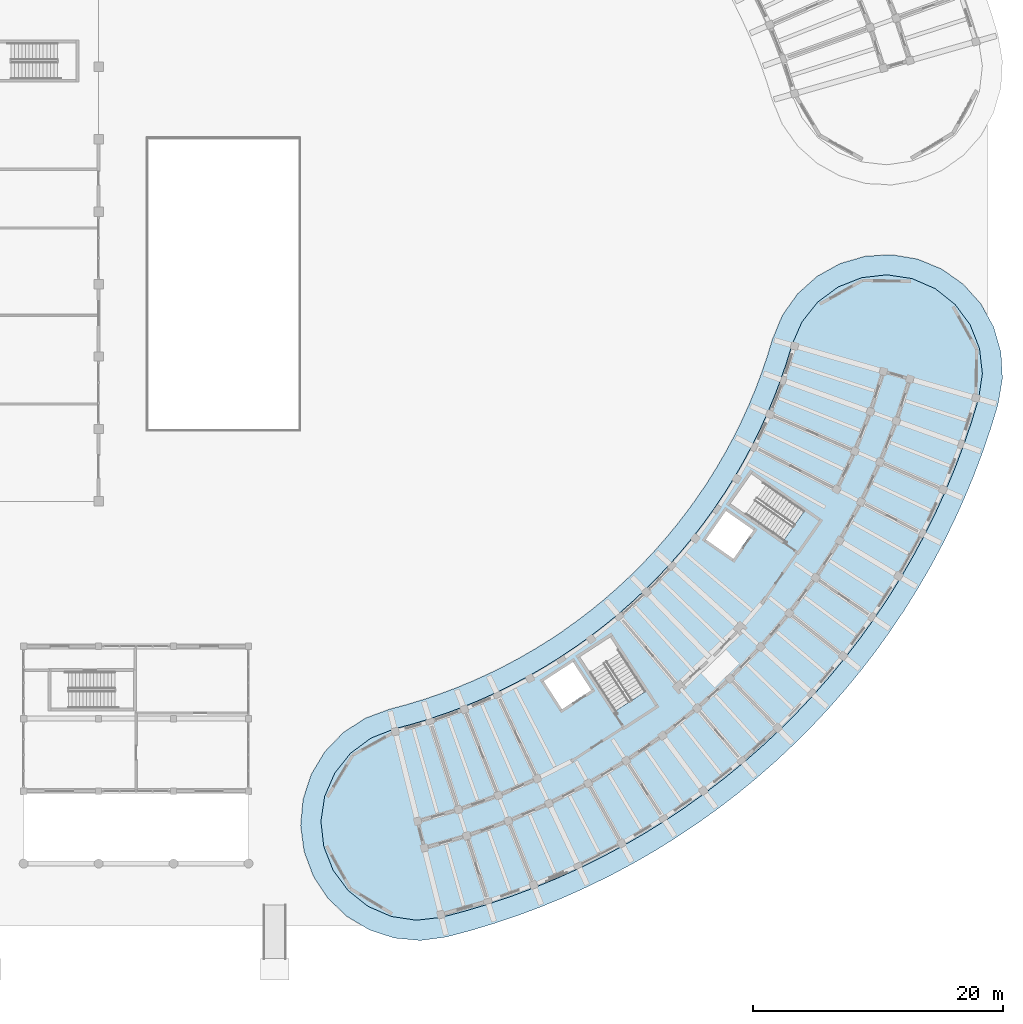
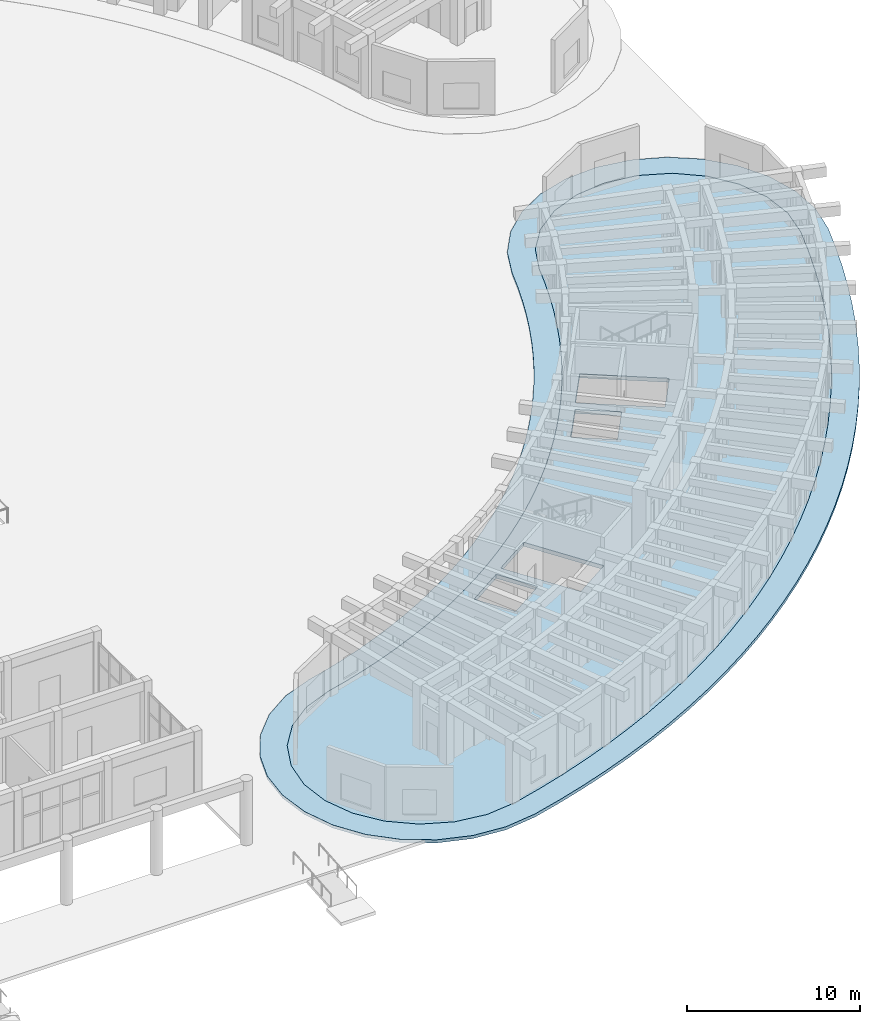
# One storey, part 81 of 132: 2 slabs.
"""IFC4 building model written with IfcOpenShell, lengths in metres."""

from ifc_helpers import new_model, si_unit, direction, frame, origin, place, context, subcontext, project, spatial, polyline, outline, extrude, material, layer, layer_set, type_object, element, save


model = new_model("IFC4")

# Units and contexts
model_context = context("Model", 3, precision=1e-05, world=origin(), true_north=direction((0.0, 1.0)))
body_context = subcontext(model_context, "Body", "Model", "MODEL_VIEW")
ifc_project = project(units=[si_unit("LENGTHUNIT", "METRE"), si_unit("AREAUNIT", "SQUARE_METRE"), si_unit("VOLUMEUNIT", "CUBIC_METRE"), si_unit("PLANEANGLEUNIT", "RADIAN"), si_unit("MASSUNIT", "GRAM", prefix="KILO")], contexts=[model_context])

# Site, building, storey
site_placement = place(None, origin())
site = spatial("IfcSite", under=ifc_project, at=site_placement, CompositionType="ELEMENT")
building_placement = place(site_placement, origin())
building = spatial("IfcBuilding", under=site, at=building_placement, Name="Tanwirah Colonnade Gardens", CompositionType="ELEMENT")
storey_placement = place(building_placement, origin())
storey = spatial("IfcBuildingStorey", under=building, at=storey_placement, Name="L00", CompositionType="ELEMENT", Elevation=0.0)

# Slabs
ifc_material_1 = material(Name="Concrete C45/55", Category="concrete")
ifc_layer_1 = layer(ifc_material_1, 0.280029296875)
ifc_layer_set_1 = layer_set([ifc_layer_1], Name="Concrete C45/55")
slab_type_1 = type_object("IfcSlabType", Name="SL-POD-280", PredefinedType="FLOOR", material=ifc_layer_set_1)
slab_1_placement = place(storey_placement, frame((0.0, 0.0, -0.280029296875)))
element("IfcSlab", 1, at=slab_1_placement, inside=storey, type_object=slab_type_1, Name="Block D L00 Precast Composite Floor Slab", PredefinedType="FLOOR", context=body_context, shape_type="SweptSolid", body=[
    extrude(outline(polyline([(134.47509765625, 22.404052734375), (133.09033203125, 21.98583984375), (131.69287109375, 21.613037109375), (129.79833984375, 20.86669921875), (128.16162109375, 19.655517578125), (126.89404296875, 18.06201171875), (126.08203125, 16.194580078125), (125.781005859375, 14.1806640625), (126.01171875, 12.15771484375), (126.7578125, 10.26318359375), (127.968994140625, 8.626220703125), (129.562744140625, 7.358642578125), (131.429931640625, 6.546875), (133.44384765625, 6.245849609375), (135.467041015625, 6.476318359375), (137.357666015625, 6.980712890625), (139.23095703125, 7.546630859375), (141.08447265625, 8.173828125), (142.916748046875, 8.861083984375), (144.7255859375, 9.60791015625), (146.5087890625, 10.41357421875), (148.264892578125, 11.277099609375), (149.99169921875, 12.19775390625), (151.687255859375, 13.17431640625), (153.350341796875, 14.205810546875), (154.978515625, 15.291259765625), (156.5703125, 16.429443359375), (158.124267578125, 17.618896484375), (159.63818359375, 18.858642578125), (161.11083984375, 20.1474609375), (162.54052734375, 21.4833984375), (163.92578125, 22.86572265625), (165.26513671875, 24.29248046875), (166.556884765625, 25.76220703125), (167.800048828125, 27.273681640625), (168.992919921875, 28.82470703125), (170.134521484375, 30.414306640625), (171.223388671875, 32.0400390625), (172.258544921875, 33.70068359375), (173.23876953125, 35.394287109375), (174.163330078125, 37.119140625), (175.030517578125, 38.873291015625), (175.840087890625, 40.65478515625), (176.591064453125, 42.4619140625), (177.2822265625, 44.29248046875), (177.913330078125, 46.14501953125), (178.4833984375, 48.016845703125), (178.784423828125, 50.03076171875), (178.553955078125, 52.053955078125), (177.8076171875, 53.948486328125), (176.596435546875, 55.585205078125), (175.0029296875, 56.852783203125), (173.135498046875, 57.664794921875), (171.121826171875, 57.965576171875), (169.0986328125, 57.735107421875), (167.2041015625, 56.98876953125), (165.5673828125, 55.777587890625), (164.2998046875, 54.18408203125), (163.48779296875, 52.31689453125), (163.06640625, 50.93310546875), (162.60009765625, 49.56396484375), (162.089111328125, 48.2109375), (161.533935546875, 46.875244140625), (160.935791015625, 45.55859375), (160.294677734375, 44.261962890625), (159.611328125, 42.987060546875), (158.88671875, 41.7353515625), (158.12158203125, 40.5078125), (157.31689453125, 39.30615234375), (156.47314453125, 38.13134765625), (155.59130859375, 36.98486328125), (154.672607421875, 35.86767578125), (153.717529296875, 34.781494140625), (152.727783203125, 33.726806640625), (151.703857421875, 32.705078125), (150.647216796875, 31.717529296875), (149.55859375, 30.76513671875), (148.439697265625, 29.848876953125), (147.291259765625, 28.969482421875), (146.114501953125, 28.12841796875), (144.9111328125, 27.326171875), (143.681884765625, 26.563720703125), (142.428466796875, 25.841796875), (141.15234375, 25.161376953125), (139.854248046875, 24.523193359375), (138.5361328125, 23.927490234375), (137.199462890625, 23.37548828125), (135.84521484375, 22.867431640625), (134.47509765625, 22.404052734375)]), holes=[polyline([(149.358642578125, 23.003662109375), (146.528076171875, 27.3623046875), (148.971923828125, 28.94921875), (151.802490234375, 24.5908203125), (149.358642578125, 23.003662109375)]), polyline([(143.63427734375, 25.42333984375), (145.982666015625, 26.9482421875), (147.453125, 24.683837890625), (145.104736328125, 23.158935546875), (143.63427734375, 25.42333984375)]), polyline([(160.252685546875, 42.016357421875), (164.509765625, 39.03564453125), (162.83837890625, 36.648681640625), (158.581298828125, 39.62939453125), (160.252685546875, 42.016357421875)]), polyline([(160.442138671875, 37.49267578125), (158.836181640625, 35.198974609375), (156.62451171875, 36.74755859375), (158.23046875, 39.041259765625), (160.442138671875, 37.49267578125)])]), origin(), (0.0, 0.0, 1.0), 0.280029296875),
])
ifc_material_2 = material(Name="White architectural precast concrete C40/50", Category="concrete")
ifc_layer_2 = layer(ifc_material_2, 0.215087890625)
ifc_layer_set_2 = layer_set([ifc_layer_2], Name="White architectural precast concrete C40/50")
slab_type_2 = type_object("IfcSlabType", Name="SL-VER-215", PredefinedType="FLOOR", material=ifc_layer_set_2)
slab_2_placement = place(storey_placement, frame((0.0, 0.0, -0.215087890625)))
element("IfcSlab", 2, at=slab_2_placement, inside=storey, type_object=slab_type_2, Name="Block D L00 Continuous White Balcony Ribbon", PredefinedType="FLOOR", context=body_context, shape_type="SweptSolid", body=[
    extrude(outline(polyline([(129.333251953125, 22.4306640625), (127.57373046875, 21.275390625), (126.115234375, 19.757568359375), (125.03125, 17.953369140625), (124.375732421875, 15.953125), (124.181884765625, 13.857177734375), (124.459228515625, 11.7705078125), (125.19384765625, 9.798095703125), (126.34912109375, 8.038330078125), (127.866943359375, 6.580078125), (129.671142578125, 5.495849609375), (131.67138671875, 4.84033203125), (133.767333984375, 4.646484375), (135.85400390625, 4.923828125), (137.79541015625, 5.441650390625), (139.71875, 6.02294921875), (141.6220703125, 6.666748046875), (143.503173828125, 7.372314453125), (145.3603515625, 8.13916015625), (147.19140625, 8.966552734375), (148.994384765625, 9.85302734375), (150.767333984375, 10.79833984375), (152.508544921875, 11.801025390625), (154.2158203125, 12.860107421875), (155.8876953125, 13.974609375), (157.522216796875, 15.143310546875), (159.117431640625, 16.364501953125), (160.672119140625, 17.637451171875), (162.18408203125, 18.960693359375), (163.652099609375, 20.33251953125), (165.07421875, 21.751708984375), (166.449462890625, 23.216796875), (167.77587890625, 24.725830078125), (169.05224609375, 26.277587890625), (170.277099609375, 27.870361328125), (171.44921875, 29.502197265625), (172.567138671875, 31.171630859375), (173.630126953125, 32.876708984375), (174.636474609375, 34.61572265625), (175.585693359375, 36.386474609375), (176.476318359375, 38.1875), (177.307373046875, 40.016845703125), (178.078369140625, 41.872314453125), (178.7880859375, 43.751953125), (179.43603515625, 45.65380859375), (180.021484375, 47.575927734375), (180.37158203125, 49.651611328125), (180.250732421875, 51.7529296875), (179.66552734375, 53.77490234375), (178.64501953125, 55.615966796875), (177.240478515625, 57.18359375), (175.522216796875, 58.399658203125), (173.57666015625, 59.20263671875), (171.5009765625, 59.552734375), (169.3994140625, 59.43212890625), (167.37744140625, 58.846923828125), (165.53662109375, 57.826416015625), (163.96875, 56.421875), (162.7529296875, 54.70361328125), (161.94970703125, 52.7578125), (161.543701171875, 51.42431640625), (161.093994140625, 50.104736328125), (160.6015625, 48.800537109375), (160.066650390625, 47.51318359375), (159.489990234375, 46.244140625), (158.8720703125, 44.99462890625), (158.213623046875, 43.765869140625), (157.515380859375, 42.559326171875), (156.77783203125, 41.37646484375), (156.002197265625, 40.218017578125), (155.18896484375, 39.0859375), (154.339111328125, 37.98095703125), (153.45361328125, 36.904296875), (152.533203125, 35.857177734375), (151.579345703125, 34.8408203125), (150.592529296875, 33.856201171875), (149.573974609375, 32.904296875), (148.52490234375, 31.986328125), (147.4462890625, 31.10302734375), (146.33935546875, 30.255615234375), (145.205322265625, 29.445068359375), (144.04541015625, 28.671630859375), (142.86083984375, 27.93701171875), (141.65283203125, 27.2412109375), (140.4228515625, 26.58544921875), (139.171875, 25.97021484375), (137.9013671875, 25.396240234375), (136.613037109375, 24.8642578125), (135.307861328125, 24.37451171875), (133.9873046875, 23.927978515625), (132.65283203125, 23.524658203125), (131.305908203125, 23.165283203125), (129.333251953125, 22.4306640625)]), holes=[polyline([(129.80810546875, 20.84912109375), (131.69921875, 21.593994140625), (133.095703125, 21.966552734375), (133.09619140625, 21.966552734375), (134.480712890625, 22.385009765625), (134.4814453125, 22.38525390625), (135.8515625, 22.8486328125), (135.85205078125, 22.848876953125), (137.206298828125, 23.35693359375), (137.20703125, 23.357177734375), (138.5439453125, 23.9091796875), (138.54443359375, 23.909423828125), (139.862548828125, 24.5048828125), (139.86328125, 24.505126953125), (141.1611328125, 25.1435546875), (141.16162109375, 25.143798828125), (142.43798828125, 25.82421875), (142.4384765625, 25.824462890625), (143.69189453125, 26.54638671875), (143.692626953125, 26.546630859375), (144.921630859375, 27.30908203125), (144.922119140625, 27.309326171875), (146.125732421875, 28.111572265625), (146.126220703125, 28.112060546875), (147.302734375, 28.953369140625), (147.30322265625, 28.95361328125), (148.45166015625, 29.8330078125), (148.452392578125, 29.833251953125), (149.5712890625, 30.749755859375), (149.57177734375, 30.75), (150.660400390625, 31.70263671875), (150.660888671875, 31.702880859375), (151.717529296875, 32.690673828125), (151.718017578125, 32.69091796875), (152.741943359375, 33.712646484375), (152.742431640625, 33.713134765625), (153.732177734375, 34.767578125), (153.732666015625, 34.76806640625), (154.6875, 35.8544921875), (154.68798828125, 35.85498046875), (155.606689453125, 36.97216796875), (155.607177734375, 36.97265625), (156.48876953125, 38.119140625), (156.4892578125, 38.11962890625), (157.3330078125, 39.29443359375), (157.33349609375, 39.294921875), (158.13818359375, 40.496826171875), (158.138671875, 40.497314453125), (158.90380859375, 41.724853515625), (158.904052734375, 41.725341796875), (159.628662109375, 42.97705078125), (159.62890625, 42.977783203125), (160.312255859375, 44.25244140625), (160.3125, 44.253173828125), (160.95361328125, 45.549560546875), (160.953857421875, 45.55029296875), (161.55224609375, 46.866943359375), (161.552490234375, 46.86767578125), (162.107421875, 48.203369140625), (162.107666015625, 48.203857421875), (162.61865234375, 49.55712890625), (162.618896484375, 49.5576171875), (163.08544921875, 50.9267578125), (163.08544921875, 50.92724609375), (163.506591796875, 52.309814453125), (164.31689453125, 54.173828125), (165.581298828125, 55.76318359375), (167.2138671875, 56.97119140625), (169.103515625, 57.715576171875), (171.121337890625, 57.945556640625), (173.130126953125, 57.645263671875), (174.992431640625, 56.83544921875), (176.58203125, 55.5712890625), (177.7900390625, 53.9384765625), (178.534423828125, 52.049072265625), (178.76416015625, 50.031005859375), (178.4638671875, 48.021240234375), (177.894287109375, 46.151123046875), (177.263427734375, 44.29931640625), (176.572509765625, 42.46923828125), (175.82177734375, 40.662841796875), (175.012451171875, 38.8818359375), (174.1455078125, 37.12841796875), (173.221435546875, 35.404052734375), (172.241455078125, 33.7109375), (171.20654296875, 32.051025390625), (170.1181640625, 30.425537109375), (168.976806640625, 28.836669921875), (167.784423828125, 27.2861328125), (166.541748046875, 25.775146484375), (165.250244140625, 24.305908203125), (163.911376953125, 22.879638671875), (162.526611328125, 21.497802734375), (161.097412109375, 20.162109375), (159.625244140625, 18.8740234375), (158.11181640625, 17.634521484375), (156.55859375, 16.445556640625), (154.96728515625, 15.3076171875), (153.33935546875, 14.22265625), (151.677001953125, 13.19140625), (149.98193359375, 12.21533203125), (148.255615234375, 11.294921875), (146.500244140625, 10.431640625), (144.717529296875, 9.626220703125), (142.909423828125, 8.879638671875), (141.077880859375, 8.192626953125), (139.224853515625, 7.565673828125), (137.352294921875, 7.0), (135.463134765625, 6.49609375), (133.444091796875, 6.265869140625), (131.435546875, 6.566162109375), (129.572998046875, 7.3759765625), (127.983642578125, 8.640380859375), (126.775634765625, 10.27294921875), (126.03125, 12.16259765625), (125.80126953125, 14.180419921875), (126.1015625, 16.18896484375), (126.911376953125, 18.051513671875), (128.175537109375, 19.640869140625), (129.80810546875, 20.84912109375)])]), origin(), (0.0, 0.0, 1.0), 0.215087890625),
])

save(model, "model.ifc")
